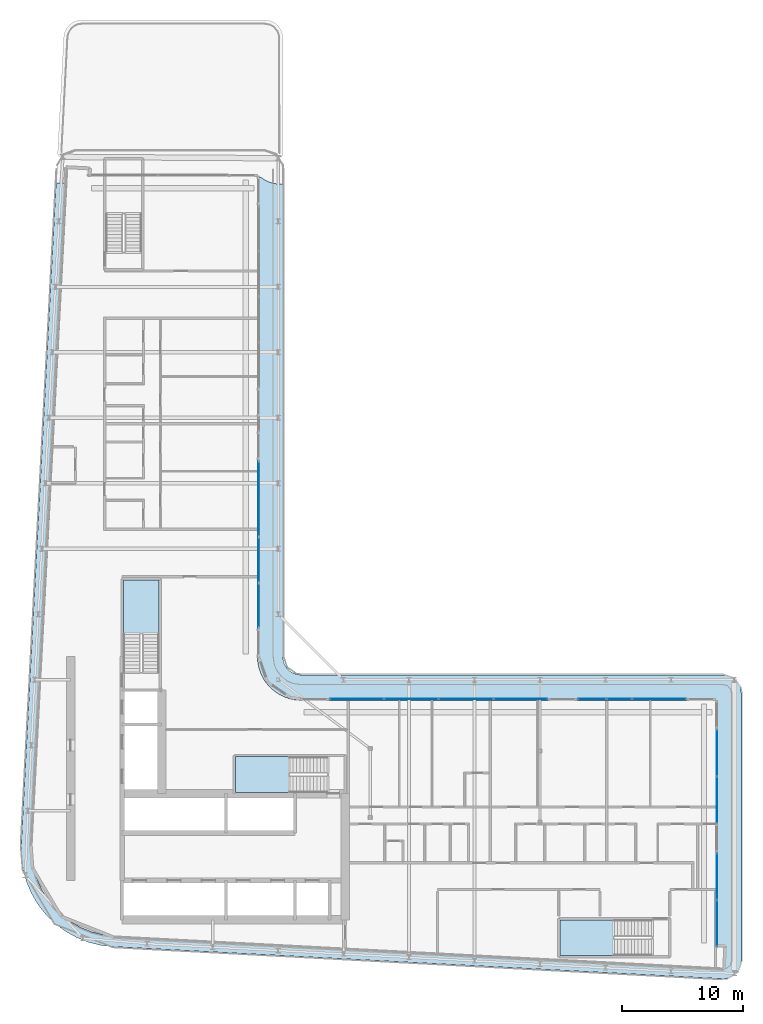
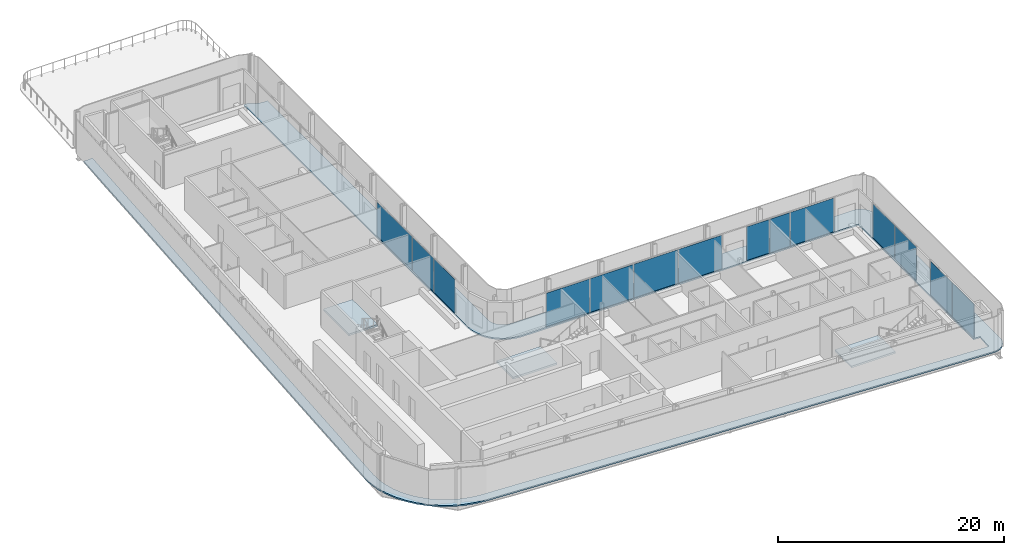
# One storey, part 8 of 22: 14 plates, 4 slabs, 10 elements without a shape of their own.
"""IFC4 building model written with IfcOpenShell, lengths in metres."""

from ifc_helpers import new_model, si_unit, direction, frame, origin, origin_2d, place, context, subcontext, project, spatial, polyline, rectangle, outline, extrude, material, layer, layer_set, type_object, element, aggregate, save


model = new_model("IFC4")

# Units and contexts
model_context = context("Model", 3, precision=1e-05, world=origin(), true_north=direction((0.0, 1.0)))
body_context = subcontext(model_context, "Body", "Model", "MODEL_VIEW")
ifc_project = project(units=[si_unit("LENGTHUNIT", "METRE"), si_unit("AREAUNIT", "SQUARE_METRE"), si_unit("VOLUMEUNIT", "CUBIC_METRE"), si_unit("PLANEANGLEUNIT", "RADIAN"), si_unit("MASSUNIT", "GRAM", prefix="KILO")], contexts=[model_context])

# Site, building, storey
site_placement = place(None, origin())
site = spatial("IfcSite", under=ifc_project, at=site_placement, CompositionType="ELEMENT")
building_placement = place(site_placement, origin())
building = spatial("IfcBuilding", under=site, at=building_placement, Name="Kheshtan School and Residences Tower", CompositionType="ELEMENT")
storey_placement = place(building_placement, frame((0.0, 0.0, 216.199951171875)))
storey = spatial("IfcBuildingStorey", under=building, at=storey_placement, Name="L50", CompositionType="ELEMENT", Elevation=216.199951171875)

# Curtain wall, plate
ifc_material_1 = material(Name="Clear low-e glass in thermally broken aluminium frame", Category="aluminium")
ifc_layer_1 = layer(ifc_material_1, 0.199951171875)
ifc_layer_set_1 = layer_set([ifc_layer_1], Name="Curtain wall CW-L")
curtain_wall_type = type_object("IfcCurtainWallType", Name="Curtain wall CW-L", PredefinedType="NOTDEFINED", material=ifc_layer_set_1)
curtain_wall_1_placement = place(storey_placement, origin())
curtain_wall_1 = element("IfcCurtainWall", 1, at=curtain_wall_1_placement, inside=storey, type_object=curtain_wall_type, Name="Curtain wall CWL4i", PredefinedType="NOTDEFINED")
ifc_layer_2 = layer(ifc_material_1, 0.031982421875)
ifc_layer_set_2 = layer_set([ifc_layer_2], Name="CW-L glass panel")
plate_type = type_object("IfcPlateType", Name="CW-L glass panel", PredefinedType="CURTAIN_PANEL", material=ifc_layer_set_2)
plate_1_placement = place(storey_placement, frame((46.0, 60.50634765625, 0.0), z_axis=(0.0, 0.0, 1.0), x_axis=(0.0, -1.0, 0.0)))
plate_1 = element("IfcPlate", 2, at=plate_1_placement, type_object=plate_type, Name="CWL4i panel 1.1", PredefinedType="CURTAIN_PANEL", context=body_context, shape_type="SweptSolid", body=[
    extrude(rectangle(XDim=6.197509765625, YDim=0.031982421875, at=origin_2d()), origin(), (0.0, 0.0, 1.0), 3.6298828125),
])
aggregate(curtain_wall_1, [plate_1])

# Curtain wall, plates
curtain_wall_2_placement = place(storey_placement, origin())
curtain_wall_2 = element("IfcCurtainWall", 3, at=curtain_wall_2_placement, inside=storey, type_object=curtain_wall_type, Name="Curtain wall CWL4a", PredefinedType="NOTDEFINED")
plate_2_placement = place(storey_placement, frame((46.0, 55.483154296875, 0.0), z_axis=(0.0, 0.0, 1.0), x_axis=(0.0, -1.0, 0.0)))
plate_2 = element("IfcPlate", 4, at=plate_2_placement, type_object=plate_type, Name="CWL4a panel 1.1", PredefinedType="CURTAIN_PANEL", context=body_context, shape_type="SweptSolid", body=[
    extrude(rectangle(XDim=3.728759765625, YDim=0.031982421875, at=origin_2d()), origin(), (0.0, 0.0, 1.0), 3.6298828125),
])
plate_3_placement = place(storey_placement, frame((46.0, 51.724365234375, 0.0), z_axis=(0.0, 0.0, 1.0), x_axis=(0.0, -1.0, 0.0)))
plate_3 = element("IfcPlate", 5, at=plate_3_placement, type_object=plate_type, Name="CWL4a panel 2.1", PredefinedType="CURTAIN_PANEL", context=body_context, shape_type="SweptSolid", body=[
    extrude(rectangle(XDim=3.668701171875, YDim=0.031982421875, at=origin_2d()), origin(), (0.0, 0.0, 1.0), 3.6298828125),
])
aggregate(curtain_wall_2, [plate_2, plate_3])

curtain_wall_3_placement = place(storey_placement, origin())
curtain_wall_3 = element("IfcCurtainWall", 6, at=curtain_wall_3_placement, inside=storey, type_object=curtain_wall_type, Name="Curtain wall CWL8n", PredefinedType="NOTDEFINED")
plate_4_placement = place(storey_placement, frame((54.100830078125, 44.0, 0.0), z_axis=(0.0, 0.0, 1.0), x_axis=(1.0, 0.0, 0.0)))
plate_4 = element("IfcPlate", 7, at=plate_4_placement, type_object=plate_type, Name="CWL8n panel 1.1", PredefinedType="CURTAIN_PANEL", context=body_context, shape_type="SweptSolid", body=[
    extrude(rectangle(XDim=4.421630859375, YDim=0.031982421875, at=origin_2d()), origin(), (0.0, 0.0, 1.0), 3.6298828125),
])
plate_5_placement = place(storey_placement, frame((58.58251953125, 44.0, 0.0), z_axis=(0.0, 0.0, 1.0), x_axis=(1.0, 0.0, 0.0)))
plate_5 = element("IfcPlate", 8, at=plate_5_placement, type_object=plate_type, Name="CWL8n panel 2.1", PredefinedType="CURTAIN_PANEL", context=body_context, shape_type="SweptSolid", body=[
    extrude(rectangle(XDim=4.421630859375, YDim=0.031982421875, at=origin_2d()), origin(), (0.0, 0.0, 1.0), 3.6298828125),
])
aggregate(curtain_wall_3, [plate_4, plate_5])

curtain_wall_4_placement = place(storey_placement, origin())
curtain_wall_4 = element("IfcCurtainWall", 9, at=curtain_wall_4_placement, inside=storey, type_object=curtain_wall_type, Name="Curtain wall CWL8n", PredefinedType="NOTDEFINED")
plate_6_placement = place(storey_placement, frame((63.09423828125, 44.0, 0.0), z_axis=(0.0, 0.0, 1.0), x_axis=(1.0, 0.0, 0.0)))
plate_6 = element("IfcPlate", 10, at=plate_6_placement, type_object=plate_type, Name="CWL8n panel 1.1", PredefinedType="CURTAIN_PANEL", context=body_context, shape_type="SweptSolid", body=[
    extrude(rectangle(XDim=4.481689453125, YDim=0.031982421875, at=origin_2d()), origin(), (0.0, 0.0, 1.0), 3.6298828125),
])
plate_7_placement = place(storey_placement, frame((67.605712890625, 44.0, 0.0), z_axis=(0.0, 0.0, 1.0), x_axis=(1.0, 0.0, 0.0)))
plate_7 = element("IfcPlate", 11, at=plate_7_placement, type_object=plate_type, Name="CWL8n panel 2.1", PredefinedType="CURTAIN_PANEL", context=body_context, shape_type="SweptSolid", body=[
    extrude(rectangle(XDim=4.421630859375, YDim=0.031982421875, at=origin_2d()), origin(), (0.0, 0.0, 1.0), 3.6298828125),
])
aggregate(curtain_wall_4, [plate_6, plate_7])

curtain_wall_5_placement = place(storey_placement, origin())
curtain_wall_5 = element("IfcCurtainWall", 12, at=curtain_wall_5_placement, inside=storey, type_object=curtain_wall_type, Name="Curtain wall CWL8o", PredefinedType="NOTDEFINED")
plate_8_placement = place(storey_placement, frame((73.50341796875, 44.0, 0.0), z_axis=(0.0, 0.0, 1.0), x_axis=(1.0, 0.0, 0.0)))
plate_8 = element("IfcPlate", 13, at=plate_8_placement, type_object=plate_type, Name="CWL8o panel 1.1", PredefinedType="CURTAIN_PANEL", context=body_context, shape_type="SweptSolid", body=[
    extrude(rectangle(XDim=2.333251953125, YDim=0.031982421875, at=origin_2d()), origin(), (0.0, 0.0, 1.0), 3.6298828125),
])
plate_9_placement = place(storey_placement, frame((75.744140625, 44.0, 0.0), z_axis=(0.0, 0.0, 1.0), x_axis=(1.0, 0.0, 0.0)))
plate_9 = element("IfcPlate", 14, at=plate_9_placement, type_object=plate_type, Name="CWL8o panel 2.1", PredefinedType="CURTAIN_PANEL", context=body_context, shape_type="SweptSolid", body=[
    extrude(rectangle(XDim=2.0283203125, YDim=0.031982421875, at=origin_2d()), origin(), (0.0, 0.0, 1.0), 3.6298828125),
])
plate_10_placement = place(storey_placement, frame((79.029052734375, 44.0, 0.0), z_axis=(0.0, 0.0, 1.0), x_axis=(1.0, 0.0, 0.0)))
plate_10 = element("IfcPlate", 15, at=plate_10_placement, type_object=plate_type, Name="CWL8o panel 3.1", PredefinedType="CURTAIN_PANEL", context=body_context, shape_type="SweptSolid", body=[
    extrude(rectangle(XDim=4.421630859375, YDim=0.031982421875, at=origin_2d()), origin(), (0.0, 0.0, 1.0), 3.6298828125),
])
aggregate(curtain_wall_5, [plate_8, plate_9, plate_10])

curtain_wall_6_placement = place(storey_placement, origin())
curtain_wall_6 = element("IfcCurtainWall", 16, at=curtain_wall_6_placement, inside=storey, type_object=curtain_wall_type, Name="Curtain wall CWL9a", PredefinedType="NOTDEFINED")
plate_11_placement = place(storey_placement, frame((83.800048828125, 39.54345703125, 0.0), z_axis=(0.0, 0.0, 1.0), x_axis=(0.0, -1.0, 0.0)))
plate_11 = element("IfcPlate", 17, at=plate_11_placement, type_object=plate_type, Name="CWL9a panel 1.1", PredefinedType="CURTAIN_PANEL", context=body_context, shape_type="SweptSolid", body=[
    extrude(rectangle(XDim=3.793212890625, YDim=0.031982421875, at=origin_2d()), origin(), (0.0, 0.0, 1.0), 3.6298828125),
])
plate_12_placement = place(storey_placement, frame((83.800048828125, 35.690185546875, 0.0), z_axis=(0.0, 0.0, 1.0), x_axis=(0.0, -1.0, 0.0)))
plate_12 = element("IfcPlate", 18, at=plate_12_placement, type_object=plate_type, Name="CWL9a panel 2.1", PredefinedType="CURTAIN_PANEL", context=body_context, shape_type="SweptSolid", body=[
    extrude(rectangle(XDim=3.793212890625, YDim=0.031982421875, at=origin_2d()), origin(), (0.0, 0.0, 1.0), 3.6298828125),
])
aggregate(curtain_wall_6, [plate_11, plate_12])

curtain_wall_7_placement = place(storey_placement, origin())
curtain_wall_7 = element("IfcCurtainWall", 19, at=curtain_wall_7_placement, inside=storey, type_object=curtain_wall_type, Name="Curtain wall CWL9a", PredefinedType="NOTDEFINED")
plate_13_placement = place(storey_placement, frame((83.800048828125, 29.376953125, 0.0), z_axis=(0.0, 0.0, 1.0), x_axis=(0.0, -1.0, 0.0)))
plate_13 = element("IfcPlate", 20, at=plate_13_placement, type_object=plate_type, Name="CWL9a panel 1.1", PredefinedType="CURTAIN_PANEL", context=body_context, shape_type="SweptSolid", body=[
    extrude(rectangle(XDim=3.793212890625, YDim=0.031982421875, at=origin_2d()), origin(), (0.0, 0.0, 1.0), 3.6298828125),
])
plate_14_placement = place(storey_placement, frame((83.800048828125, 25.523681640625, 0.0), z_axis=(0.0, 0.0, 1.0), x_axis=(0.0, -1.0, 0.0)))
plate_14 = element("IfcPlate", 21, at=plate_14_placement, type_object=plate_type, Name="CWL9a panel 2.1", PredefinedType="CURTAIN_PANEL", context=body_context, shape_type="SweptSolid", body=[
    extrude(rectangle(XDim=3.793212890625, YDim=0.031982421875, at=origin_2d()), origin(), (0.0, 0.0, 1.0), 3.6298828125),
])
aggregate(curtain_wall_7, [plate_13, plate_14])

# Slab
ifc_material_2 = material(Name="Concrete C40/50", Category="concrete")
ifc_layer_3 = layer(ifc_material_2, 0.14990234375)
ifc_layer_set_3 = layer_set([ifc_layer_3], Name="Loggia balcony slab 150 Concrete C40/50")
slab_type_1 = type_object("IfcSlabType", Name="Loggia balcony slab 150 Concrete C40/50", PredefinedType="FLOOR", material=ifc_layer_set_3)
slab_1_placement = place(storey_placement, frame((0.0, 0.0, -0.14990234375)))
element("IfcSlab", 22, at=slab_1_placement, inside=storey, type_object=slab_type_1, Name="Loggia balcony slab L50", PredefinedType="FLOOR", context=body_context, shape_type="SweptSolid", body=[
    extrude(outline(polyline([(28.4609375, 26.219970703125), (28.4599609375, 26.219970703125), (28.4599609375, 26.220947265625), (28.458984375, 26.220947265625), (27.81494140625, 27.0390625), (27.281005859375, 27.93798828125), (26.867919921875, 28.89990234375), (26.583984375, 29.903076171875), (26.583984375, 29.906982421875), (26.43408203125, 30.943115234375), (26.419921875, 31.989013671875), (29.29296875, 86.56689453125), (29.29296875, 86.568115234375), (29.2939453125, 86.568115234375), (29.4619140625, 86.5439453125), (29.487060546875, 86.5419921875), (29.75, 86.537109375), (29.77490234375, 86.5380859375), (29.8701171875, 86.5439453125), (29.89404296875, 86.5458984375), (30.06005859375, 86.56591796875), (30.195068359375, 86.593017578125), (30.196044921875, 86.593017578125), (27.320068359375, 31.970947265625), (27.3330078125, 31.013916015625), (27.466064453125, 30.093994140625), (27.466064453125, 30.091064453125), (27.466064453125, 30.090087890625), (27.718017578125, 29.200927734375), (28.0849609375, 28.345947265625), (28.55908203125, 27.550048828125), (29.1298828125, 26.822998046875), (29.131103515625, 26.822998046875), (29.131103515625, 26.822021484375), (29.132080078125, 26.822021484375), (29.132080078125, 26.821044921875), (29.133056640625, 26.821044921875), (29.133056640625, 26.820068359375), (29.134033203125, 26.820068359375), (29.797119140625, 26.173095703125), (29.797119140625, 26.172119140625), (29.798095703125, 26.172119140625), (29.799072265625, 26.172119140625), (29.799072265625, 26.1708984375), (29.800048828125, 26.1708984375), (29.800048828125, 26.169921875), (29.801025390625, 26.169921875), (29.801025390625, 26.1689453125), (30.541015625, 25.616943359375), (31.35205078125, 25.1630859375), (32.2119140625, 24.819091796875), (32.212890625, 24.819091796875), (32.216064453125, 24.819091796875), (33.114990234375, 24.590087890625), (34.06591796875, 24.47705078125), (84.238037109375, 21.8359375), (84.264892578125, 21.8369140625), (84.26611328125, 21.8369140625), (84.26708984375, 21.8369140625), (84.26708984375, 21.837890625), (84.26806640625, 21.837890625), (84.26806640625, 21.839111328125), (84.26806640625, 21.840087890625), (84.35791015625, 23.529052734375), (84.35791015625, 23.530029296875), (84.35791015625, 23.531005859375), (84.35693359375, 23.531005859375), (84.35693359375, 23.531982421875), (84.35595703125, 23.531982421875), (84.35498046875, 23.531982421875), (83.700927734375, 23.56689453125), (83.699951171875, 23.56689453125), (83.699951171875, 23.568115234375), (83.699951171875, 43.89794921875), (83.699951171875, 43.89892578125), (83.698974609375, 43.89892578125), (83.698974609375, 43.89990234375), (83.697998046875, 43.89990234375), (49.429931640625, 43.89990234375), (49.030029296875, 43.927001953125), (48.569091796875, 44.01806640625), (48.56494140625, 44.01806640625), (48.1201171875, 44.169921875), (47.697021484375, 44.37890625), (47.30810546875, 44.638916015625), (46.9541015625, 44.947021484375), (46.9541015625, 44.947998046875), (46.952880859375, 44.947998046875), (46.952880859375, 44.948974609375), (46.951904296875, 44.948974609375), (46.951904296875, 44.949951171875), (46.951904296875, 44.950927734375), (46.950927734375, 44.950927734375), (46.950927734375, 44.951904296875), (46.949951171875, 44.951904296875), (46.948974609375, 44.951904296875), (46.948974609375, 44.952880859375), (46.947998046875, 44.952880859375), (46.947998046875, 44.9541015625), (46.947021484375, 44.9541015625), (46.638916015625, 45.30810546875), (46.37890625, 45.697021484375), (46.169921875, 46.1201171875), (46.01806640625, 46.56494140625), (46.01806640625, 46.569091796875), (45.927001953125, 47.030029296875), (45.89990234375, 47.429931640625), (45.89990234375, 86.998046875), (45.89990234375, 86.9990234375), (45.90087890625, 86.9990234375), (46.237060546875, 86.9990234375), (46.27099609375, 86.970947265625), (46.291015625, 86.9560546875), (46.51904296875, 86.805908203125), (46.5400390625, 86.7939453125), (46.64794921875, 86.736083984375), (46.669921875, 86.72509765625), (46.930908203125, 86.614990234375), (46.9541015625, 86.60693359375), (47.137939453125, 86.551025390625), (47.138916015625, 86.551025390625), (47.14306640625, 86.551025390625), (47.1669921875, 86.544921875), (47.339111328125, 86.509033203125), (47.363037109375, 86.5048828125), (47.636962890625, 86.47705078125), (47.662109375, 86.47607421875), (47.837890625, 86.47607421875), (47.863037109375, 86.47705078125), (47.9990234375, 86.490966796875), (48.0, 86.490966796875), (48.0, 86.489990234375), (48.0, 47.5), (48.012939453125, 47.303955078125), (48.051025390625, 47.113037109375), (48.051025390625, 47.110107421875), (48.051025390625, 47.10888671875), (48.114013671875, 46.926025390625), (48.200927734375, 46.75), (48.31005859375, 46.5869140625), (48.43505859375, 46.44091796875), (48.43603515625, 46.44091796875), (48.43603515625, 46.43994140625), (48.43701171875, 46.43994140625), (48.43701171875, 46.43896484375), (48.43798828125, 46.43896484375), (48.43896484375, 46.43798828125), (48.43896484375, 46.43701171875), (48.43994140625, 46.43701171875), (48.43994140625, 46.43603515625), (48.44091796875, 46.43603515625), (48.44091796875, 46.43505859375), (48.5869140625, 46.31005859375), (48.75, 46.200927734375), (48.926025390625, 46.114013671875), (49.10888671875, 46.051025390625), (49.110107421875, 46.051025390625), (49.113037109375, 46.051025390625), (49.303955078125, 46.012939453125), (49.5, 46.0), (84.300048828125, 46.0), (84.49609375, 45.987060546875), (84.68798828125, 45.948974609375), (84.69189453125, 45.948974609375), (84.8740234375, 45.885986328125), (85.044921875, 45.801025390625), (85.0458984375, 45.801025390625), (85.047119140625, 45.801025390625), (85.048095703125, 45.801025390625), (85.048095703125, 45.802001953125), (85.049072265625, 45.802001953125), (85.049072265625, 45.802978515625), (85.050048828125, 45.802978515625), (85.052978515625, 45.802978515625), (85.053955078125, 45.802978515625), (85.053955078125, 45.802001953125), (85.054931640625, 45.802001953125), (85.054931640625, 45.801025390625), (85.055908203125, 45.801025390625), (85.055908203125, 45.800048828125), (85.056884765625, 45.800048828125), (85.056884765625, 45.799072265625), (85.2119140625, 45.696044921875), (85.212890625, 45.696044921875), (85.212890625, 45.695068359375), (85.214111328125, 45.695068359375), (85.214111328125, 45.694091796875), (85.214111328125, 45.68994140625), (85.214111328125, 45.68896484375), (85.215087890625, 45.68896484375), (85.215087890625, 45.68798828125), (85.216064453125, 45.68798828125), (85.216064453125, 45.68701171875), (85.35791015625, 45.56494140625), (85.35791015625, 45.56396484375), (85.35888671875, 45.56396484375), (85.35888671875, 45.56298828125), (85.360107421875, 45.56298828125), (85.360107421875, 45.56201171875), (85.361083984375, 45.56201171875), (85.362060546875, 45.56103515625), (85.362060546875, 45.56005859375), (85.363037109375, 45.56005859375), (85.363037109375, 45.55908203125), (85.364013671875, 45.55908203125), (85.364013671875, 45.55810546875), (85.364990234375, 45.55810546875), (85.485107421875, 45.41796875), (85.486083984375, 45.41796875), (85.486083984375, 45.4169921875), (85.487060546875, 45.4169921875), (85.487060546875, 45.416015625), (85.488037109375, 45.416015625), (85.488037109375, 45.4150390625), (85.489013671875, 45.4150390625), (85.489013671875, 45.4140625), (85.489990234375, 45.4140625), (85.493896484375, 45.4140625), (85.4951171875, 45.4140625), (85.4951171875, 45.4130859375), (85.49609375, 45.4130859375), (85.49609375, 45.412109375), (85.596923828125, 45.259033203125), (85.597900390625, 45.259033203125), (85.597900390625, 45.258056640625), (85.59912109375, 45.258056640625), (85.59912109375, 45.257080078125), (85.60009765625, 45.257080078125), (85.60009765625, 45.256103515625), (85.60107421875, 45.256103515625), (85.60107421875, 45.2548828125), (85.60205078125, 45.2548828125), (85.60205078125, 45.25390625), (85.60302734375, 45.25390625), (85.60302734375, 45.2529296875), (85.60302734375, 45.25), (85.60302734375, 45.2490234375), (85.60205078125, 45.2490234375), (85.60205078125, 45.248046875), (85.60107421875, 45.248046875), (85.60107421875, 45.2470703125), (85.60107421875, 45.243896484375), (85.60107421875, 45.242919921875), (85.68603515625, 45.073974609375), (85.7490234375, 44.89208984375), (85.7490234375, 44.887939453125), (85.787109375, 44.696044921875), (85.800048828125, 44.5), (85.800048828125, 22.43408203125), (85.785888671875, 22.23095703125), (85.7451171875, 22.032958984375), (85.7451171875, 22.029052734375), (85.677978515625, 21.841064453125), (85.5859375, 21.660888671875), (85.470947265625, 21.49609375), (85.470947265625, 21.4951171875), (85.470947265625, 21.493896484375), (85.470947265625, 21.492919921875), (85.471923828125, 21.492919921875), (85.471923828125, 21.491943359375), (85.471923828125, 21.489990234375), (85.471923828125, 21.489013671875), (85.470947265625, 21.489013671875), (85.470947265625, 21.488037109375), (85.337890625, 21.343994140625), (85.3349609375, 21.341064453125), (85.333984375, 21.341064453125), (85.333984375, 21.340087890625), (85.3330078125, 21.340087890625), (85.3310546875, 21.340087890625), (85.330078125, 21.340087890625), (85.330078125, 21.341064453125), (85.3291015625, 21.341064453125), (85.327880859375, 21.341064453125), (85.326904296875, 21.341064453125), (85.176025390625, 21.216064453125), (85.00390625, 21.10888671875), (84.819091796875, 21.02587890625), (84.6279296875, 20.968994140625), (84.6240234375, 20.968994140625), (84.424072265625, 20.93896484375), (84.220947265625, 20.93603515625), (33.989013671875, 23.580078125), (33.94091796875, 23.5859375), (33.93994140625, 23.5859375), (33.93994140625, 23.5849609375), (33.93896484375, 23.5849609375), (33.93896484375, 23.583984375), (33.93798828125, 23.583984375), (33.93798828125, 23.5830078125), (33.93701171875, 23.5830078125), (33.93701171875, 23.58203125), (33.93603515625, 23.58203125), (33.93505859375, 23.58203125), (32.952880859375, 23.697998046875), (32.949951171875, 23.697998046875), (32.948974609375, 23.697998046875), (32.948974609375, 23.698974609375), (32.947998046875, 23.698974609375), (32.947998046875, 23.699951171875), (32.947021484375, 23.699951171875), (32.947021484375, 23.700927734375), (32.947021484375, 23.702880859375), (32.947021484375, 23.7041015625), (32.946044921875, 23.7041015625), (32.946044921875, 23.705078125), (32.945068359375, 23.705078125), (31.93603515625, 23.9609375), (31.931884765625, 23.9609375), (30.964111328125, 24.34912109375), (30.051025390625, 24.860107421875), (29.216064453125, 25.48193359375), (29.216064453125, 25.48291015625), (29.215087890625, 25.48291015625), (29.215087890625, 25.48388671875), (29.214111328125, 25.48388671875), (29.214111328125, 25.485107421875), (29.212890625, 25.485107421875), (29.212890625, 25.486083984375), (29.2119140625, 25.486083984375), (28.465087890625, 26.217041015625), (28.465087890625, 26.218017578125), (28.464111328125, 26.218017578125), (28.462890625, 26.218017578125), (28.4619140625, 26.218017578125), (28.4619140625, 26.218994140625), (28.4609375, 26.218994140625), (28.4609375, 26.219970703125)])), origin(), (0.0, 0.0, 1.0), 0.14990234375),
])

# Stair, slab
stair_type = type_object("IfcStairType", Name="Exit stair, half-turn", PredefinedType="HALF_TURN_STAIR", material=ifc_material_2)
stair_1_placement = place(storey_placement, origin())
stair_1 = element("IfcStair", 23, at=stair_1_placement, inside=storey, type_object=stair_type, Name="L50 Protected Exit Stair ST1", PredefinedType="HALF_TURN_STAIR")
ifc_layer_4 = layer(ifc_material_2, 0.199951171875)
ifc_layer_set_4 = layer_set([ifc_layer_4], Name="Stair landing 200 Concrete C40/50")
slab_type_2 = type_object("IfcSlabType", Name="Stair landing 200 Concrete C40/50", PredefinedType="LANDING", material=ifc_layer_set_4)
slab_2_placement = place(storey_placement, frame((0.0, 0.0, 1.75)))
slab_2 = element("IfcSlab", 24, at=slab_2_placement, type_object=slab_type_2, Name="ST1 landing 1", PredefinedType="LANDING", context=body_context, shape_type="SweptSolid", body=[
    extrude(outline(polyline([(48.570068359375, 39.25), (44.090087890625, 39.25), (44.090087890625, 36.300048828125), (48.570068359375, 36.300048828125), (48.570068359375, 39.25)])), origin(), (0.0, 0.0, 1.0), 0.199951171875),
])
aggregate(stair_1, [slab_2])

stair_2_placement = place(storey_placement, origin())
stair_2 = element("IfcStair", 25, at=stair_2_placement, inside=storey, type_object=stair_type, Name="L50 Protected Exit Stair ST2", PredefinedType="HALF_TURN_STAIR")
slab_3_placement = place(storey_placement, frame((0.0, 0.0, 1.75)))
slab_3 = element("IfcSlab", 26, at=slab_3_placement, type_object=slab_type_2, Name="ST2 landing 1", PredefinedType="LANDING", context=body_context, shape_type="SweptSolid", body=[
    extrude(outline(polyline([(37.800048828125, 49.330078125), (37.800048828125, 53.81005859375), (34.85009765625, 53.81005859375), (34.85009765625, 49.330078125), (37.800048828125, 49.330078125)])), origin(), (0.0, 0.0, 1.0), 0.199951171875),
])
aggregate(stair_2, [slab_3])

stair_3_placement = place(storey_placement, origin())
stair_3 = element("IfcStair", 27, at=stair_3_placement, inside=storey, type_object=stair_type, Name="L50 Protected Exit Stair ST5", PredefinedType="HALF_TURN_STAIR")
slab_4_placement = place(storey_placement, frame((0.0, 0.0, 1.75)))
slab_4 = element("IfcSlab", 28, at=slab_4_placement, type_object=slab_type_2, Name="ST5 landing 1", PredefinedType="LANDING", context=body_context, shape_type="SweptSolid", body=[
    extrude(outline(polyline([(75.330078125, 25.800048828125), (70.85009765625, 25.800048828125), (70.85009765625, 22.85009765625), (75.330078125, 22.85009765625), (75.330078125, 25.800048828125)])), origin(), (0.0, 0.0, 1.0), 0.199951171875),
])
aggregate(stair_3, [slab_4])

save(model, "model.ifc")
